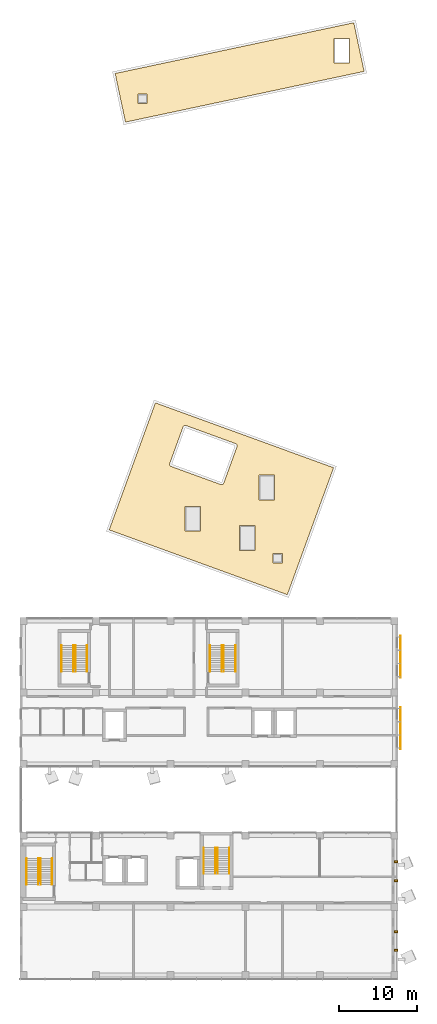
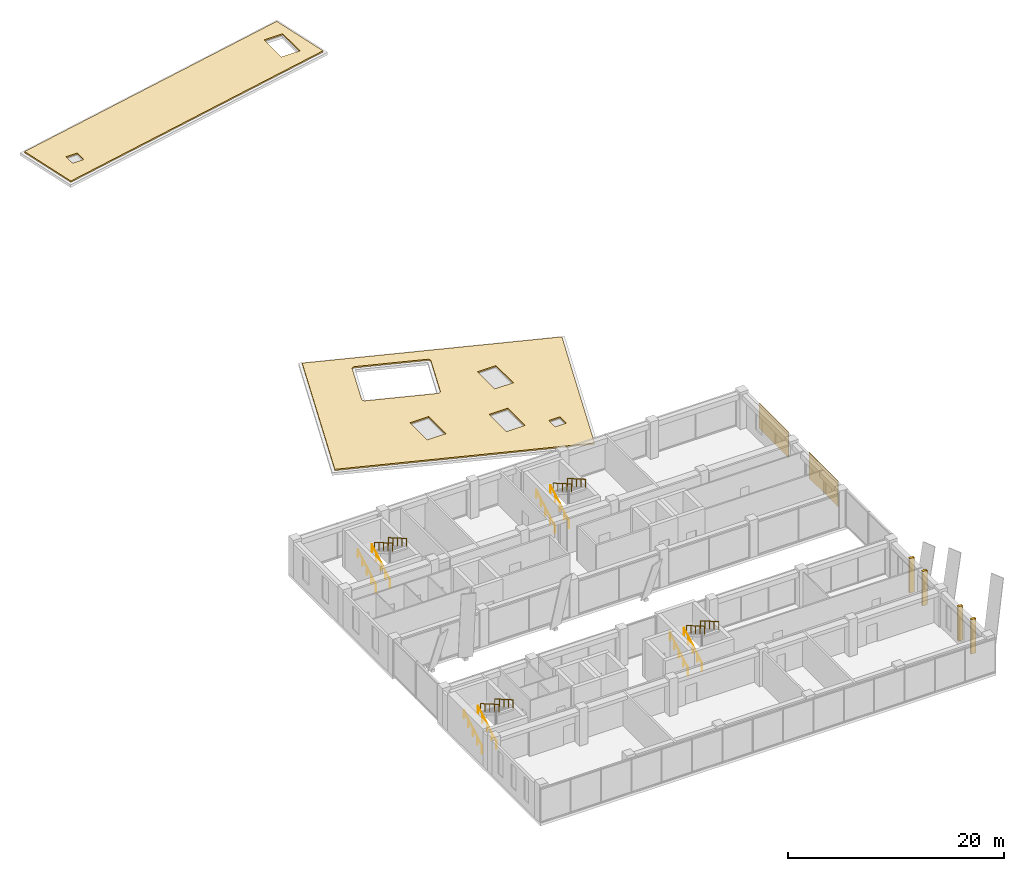
# One storey, part 31 of 36: 16 railings, 6 shading devices, 2 coverings.
"""IFC4 building model written with IfcOpenShell, lengths in metres."""

from ifc_helpers import new_model, si_unit, direction, frame, origin, origin_2d, place, context, subcontext, project, spatial, polyline, rectangle, circle, outline, extrude, material, layer, layer_set, type_object, element, save


model = new_model("IFC4")

# Units and contexts
model_context = context("Model", 3, precision=1e-05, world=origin(), true_north=direction((0.0, 1.0)))
body_context = subcontext(model_context, "Body", "Model", "MODEL_VIEW")
ifc_project = project(units=[si_unit("LENGTHUNIT", "METRE"), si_unit("AREAUNIT", "SQUARE_METRE"), si_unit("VOLUMEUNIT", "CUBIC_METRE"), si_unit("PLANEANGLEUNIT", "RADIAN"), si_unit("MASSUNIT", "GRAM", prefix="KILO")], contexts=[model_context])

# Site, building, storey
site_placement = place(None, origin())
site = spatial("IfcSite", under=ifc_project, at=site_placement, CompositionType="ELEMENT")
building_placement = place(site_placement, origin())
building = spatial("IfcBuilding", under=site, at=building_placement, Name="Nzadi Deep Aquarium and Research Tower", CompositionType="ELEMENT")
storey_placement = place(building_placement, frame((0.0, 0.0, 40.300048828125)))
storey = spatial("IfcBuildingStorey", under=building, at=storey_placement, Name="L07", CompositionType="ELEMENT", Elevation=40.300048828125)

# Shading devices
ifc_material_1 = material(Name="Concrete C35/45", Category="concrete")
shading_device_type_1 = type_object("IfcShadingDeviceType", Name="Fin board-formed concrete 250 deep", PredefinedType="USERDEFINED", material=ifc_material_1)
for number, where, z_axis, x_axis, name in (
    (1, (48.199951171875, 3.625, 0.0), (0.0, 0.0, 1.0), (1.0, 0.0, 0.0), "Fin blade A east L07"),
    (2, (48.199951171875, 6.02490234375, 0.0), (0.0, 0.0, 1.0), (1.0, 0.0, 0.0), "Fin blade A east L07"),
    (3, (48.199951171875, 12.60009765625, 0.0), (0.0, 0.0, 1.0), (1.0, 0.0, 0.0), "Fin blade A east L07"),
    (4, (48.199951171875, 15.0, 0.0), (0.0, 0.0, 1.0), (1.0, 0.0, 0.0), "Fin blade A east L07"),
):
    element("IfcShadingDevice", number, at=place(storey_placement, frame(where, z_axis=z_axis, x_axis=x_axis)), inside=storey, type_object=shading_device_type_1, Name=name, ObjectType="Fin", PredefinedType="USERDEFINED", context=body_context, shape_type="SweptSolid", body=[
        extrude(rectangle(XDim=0.5, YDim=0.25, at=origin_2d()), origin(), (0.0, 0.0, 1.0), 3.89990234375),
    ])

# Railings
ifc_material_2 = material(Name="Stainless steel 1.4301", Category="steel")
railing_type = type_object("IfcRailingType", Name="HANDRAIL 900", PredefinedType="HANDRAIL", material=ifc_material_2)
for number, where, name in (
    (5, (0.659912109375, 12.070068359375, 0.161376953125), "HR-ST-Z1-SW-L07-F1"),
    (6, (2.1650390625, 12.070068359375, 0.161376953125), "HR-ST-Z1-SW-L07-F1W"),
):
    element("IfcRailing", number, at=place(storey_placement, frame(where)), inside=storey, type_object=railing_type, Name=name, PredefinedType="HANDRAIL", context=body_context, shape_type="SweptSolid", body=[
        extrude(circle(Radius=0.02392578125, at=origin_2d()), frame((0.0, 0.0, 0.8759765625), z_axis=(0.0, 0.866175107563, 0.499740615757), x_axis=(-1.0, 0.0, 0.0)), (0.0, 0.0, 1.0), 3.87890625),
        extrude(circle(Radius=0.02099609375, at=origin_2d()), origin(), (0.0, 0.0, 1.0), 0.851806640625),
        extrude(circle(Radius=0.02099609375, at=origin_2d()), frame((0.0, 0.83984375, 0.484619140625)), (0.0, 0.0, 1.0), 0.851806640625),
        extrude(circle(Radius=0.02099609375, at=origin_2d()), frame((0.0, 1.679931640625, 0.96923828125)), (0.0, 0.0, 1.0), 0.851806640625),
        extrude(circle(Radius=0.02099609375, at=origin_2d()), frame((0.0, 2.52001953125, 1.453857421875)), (0.0, 0.0, 1.0), 0.851806640625),
        extrude(circle(Radius=0.02099609375, at=origin_2d()), frame((0.0, 3.35986328125, 1.9384765625)), (0.0, 0.0, 1.0), 0.851806640625),
    ])
for number, where, name in (
    (7, (3.93994140625, 15.429931640625, 2.261474609375), "HR-ST-Z1-SW-L07-F2"),
    (8, (2.43505859375, 15.429931640625, 2.261474609375), "HR-ST-Z1-SW-L07-F2W"),
):
    element("IfcRailing", number, at=place(storey_placement, frame(where)), inside=storey, type_object=railing_type, Name=name, PredefinedType="HANDRAIL", context=body_context, shape_type="SweptSolid", body=[
        extrude(circle(Radius=0.02392578125, at=origin_2d()), frame((0.0, 0.0, 0.8759765625), z_axis=(0.0, -0.866175107563, 0.499740615757), x_axis=(1.0, 0.0, 0.0)), (0.0, 0.0, 1.0), 3.87890625),
        extrude(circle(Radius=0.02099609375, at=origin_2d()), origin(), (0.0, 0.0, 1.0), 0.851806640625),
        extrude(circle(Radius=0.02099609375, at=origin_2d()), frame((0.0, -0.83984375, 0.484619140625)), (0.0, 0.0, 1.0), 0.851806640625),
        extrude(circle(Radius=0.02099609375, at=origin_2d()), frame((0.0, -1.679931640625, 0.96923828125)), (0.0, 0.0, 1.0), 0.851806640625),
        extrude(circle(Radius=0.02099609375, at=origin_2d()), frame((0.0, -2.52001953125, 1.453857421875)), (0.0, 0.0, 1.0), 0.851806640625),
        extrude(circle(Radius=0.02099609375, at=origin_2d()), frame((0.0, -3.35986328125, 1.9384765625)), (0.0, 0.0, 1.0), 0.851806640625),
    ])
for number, where, name in (
    (9, (23.4599609375, 13.469970703125, 0.161376953125), "HR-ST-Z1-SE-L07-F1"),
    (10, (24.965087890625, 13.469970703125, 0.161376953125), "HR-ST-Z1-SE-L07-F1W"),
):
    element("IfcRailing", number, at=place(storey_placement, frame(where)), inside=storey, type_object=railing_type, Name=name, PredefinedType="HANDRAIL", context=body_context, shape_type="SweptSolid", body=[
        extrude(circle(Radius=0.02392578125, at=origin_2d()), frame((0.0, 0.0, 0.8759765625), z_axis=(0.0, 0.866190824863, 0.499713372768), x_axis=(-1.0, 0.0, 0.0)), (0.0, 0.0, 1.0), 3.879150390625),
        extrude(circle(Radius=0.02099609375, at=origin_2d()), origin(), (0.0, 0.0, 1.0), 0.851806640625),
        extrude(circle(Radius=0.02099609375, at=origin_2d()), frame((0.0, 0.840087890625, 0.484619140625)), (0.0, 0.0, 1.0), 0.851806640625),
        extrude(circle(Radius=0.02099609375, at=origin_2d()), frame((0.0, 1.68017578125, 0.96923828125)), (0.0, 0.0, 1.0), 0.851806640625),
        extrude(circle(Radius=0.02099609375, at=origin_2d()), frame((0.0, 2.52001953125, 1.453857421875)), (0.0, 0.0, 1.0), 0.851806640625),
        extrude(circle(Radius=0.02099609375, at=origin_2d()), frame((0.0, 3.360107421875, 1.9384765625)), (0.0, 0.0, 1.0), 0.851806640625),
    ])
for number, where, name in (
    (11, (26.739990234375, 16.830078125, 2.261474609375), "HR-ST-Z1-SE-L07-F2"),
    (12, (25.235107421875, 16.830078125, 2.261474609375), "HR-ST-Z1-SE-L07-F2W"),
):
    element("IfcRailing", number, at=place(storey_placement, frame(where)), inside=storey, type_object=railing_type, Name=name, PredefinedType="HANDRAIL", context=body_context, shape_type="SweptSolid", body=[
        extrude(circle(Radius=0.02392578125, at=origin_2d()), frame((0.0, 0.0, 0.8759765625), z_axis=(0.0, -0.866190824863, 0.499713372768), x_axis=(1.0, 0.0, 0.0)), (0.0, 0.0, 1.0), 3.879150390625),
        extrude(circle(Radius=0.02099609375, at=origin_2d()), origin(), (0.0, 0.0, 1.0), 0.851806640625),
        extrude(circle(Radius=0.02099609375, at=origin_2d()), frame((0.0, -0.840087890625, 0.484619140625)), (0.0, 0.0, 1.0), 0.851806640625),
        extrude(circle(Radius=0.02099609375, at=origin_2d()), frame((0.0, -1.68017578125, 0.96923828125)), (0.0, 0.0, 1.0), 0.851806640625),
        extrude(circle(Radius=0.02099609375, at=origin_2d()), frame((0.0, -2.52001953125, 1.453857421875)), (0.0, 0.0, 1.0), 0.851806640625),
        extrude(circle(Radius=0.02099609375, at=origin_2d()), frame((0.0, -3.360107421875, 1.9384765625)), (0.0, 0.0, 1.0), 0.851806640625),
    ])
for number, where, name in (
    (13, (5.159912109375, 39.52001953125, 0.161376953125), "HR-ST-Z1-NW-L07-F1"),
    (14, (6.6650390625, 39.52001953125, 0.161376953125), "HR-ST-Z1-NW-L07-F1W"),
):
    element("IfcRailing", number, at=place(storey_placement, frame(where)), inside=storey, type_object=railing_type, Name=name, PredefinedType="HANDRAIL", context=body_context, shape_type="SweptSolid", body=[
        extrude(circle(Radius=0.02392578125, at=origin_2d()), frame((0.0, 0.0, 0.8759765625), z_axis=(0.0, 0.866175107563, 0.499740615757), x_axis=(-1.0, 0.0, 0.0)), (0.0, 0.0, 1.0), 3.87890625),
        extrude(circle(Radius=0.02099609375, at=origin_2d()), origin(), (0.0, 0.0, 1.0), 0.851806640625),
        extrude(circle(Radius=0.02099609375, at=origin_2d()), frame((0.0, 0.83984375, 0.484619140625)), (0.0, 0.0, 1.0), 0.851806640625),
        extrude(circle(Radius=0.02099609375, at=origin_2d()), frame((0.0, 1.679931640625, 0.96923828125)), (0.0, 0.0, 1.0), 0.851806640625),
        extrude(circle(Radius=0.02099609375, at=origin_2d()), frame((0.0, 2.52001953125, 1.453857421875)), (0.0, 0.0, 1.0), 0.851806640625),
        extrude(circle(Radius=0.02099609375, at=origin_2d()), frame((0.0, 3.35986328125, 1.9384765625)), (0.0, 0.0, 1.0), 0.851806640625),
    ])
for number, where, name in (
    (15, (8.43994140625, 42.8798828125, 2.261474609375), "HR-ST-Z1-NW-L07-F2"),
    (16, (6.93505859375, 42.8798828125, 2.261474609375), "HR-ST-Z1-NW-L07-F2W"),
):
    element("IfcRailing", number, at=place(storey_placement, frame(where)), inside=storey, type_object=railing_type, Name=name, PredefinedType="HANDRAIL", context=body_context, shape_type="SweptSolid", body=[
        extrude(circle(Radius=0.02392578125, at=origin_2d()), frame((0.0, 0.0, 0.8759765625), z_axis=(0.0, -0.866175107563, 0.499740615757), x_axis=(1.0, 0.0, 0.0)), (0.0, 0.0, 1.0), 3.87890625),
        extrude(circle(Radius=0.02099609375, at=origin_2d()), origin(), (0.0, 0.0, 1.0), 0.851806640625),
        extrude(circle(Radius=0.02099609375, at=origin_2d()), frame((0.0, -0.83984375, 0.484619140625)), (0.0, 0.0, 1.0), 0.851806640625),
        extrude(circle(Radius=0.02099609375, at=origin_2d()), frame((0.0, -1.679931640625, 0.96923828125)), (0.0, 0.0, 1.0), 0.851806640625),
        extrude(circle(Radius=0.02099609375, at=origin_2d()), frame((0.0, -2.52001953125, 1.453857421875)), (0.0, 0.0, 1.0), 0.851806640625),
        extrude(circle(Radius=0.02099609375, at=origin_2d()), frame((0.0, -3.35986328125, 1.9384765625)), (0.0, 0.0, 1.0), 0.851806640625),
    ])
for number, where, name in (
    (17, (24.260009765625, 39.52001953125, 0.161376953125), "HR-ST-Z1-NE-L07-F1"),
    (18, (25.764892578125, 39.52001953125, 0.161376953125), "HR-ST-Z1-NE-L07-F1W"),
):
    element("IfcRailing", number, at=place(storey_placement, frame(where)), inside=storey, type_object=railing_type, Name=name, PredefinedType="HANDRAIL", context=body_context, shape_type="SweptSolid", body=[
        extrude(circle(Radius=0.02392578125, at=origin_2d()), frame((0.0, 0.0, 0.8759765625), z_axis=(0.0, 0.866175107563, 0.499740615757), x_axis=(-1.0, 0.0, 0.0)), (0.0, 0.0, 1.0), 3.87890625),
        extrude(circle(Radius=0.02099609375, at=origin_2d()), origin(), (0.0, 0.0, 1.0), 0.851806640625),
        extrude(circle(Radius=0.02099609375, at=origin_2d()), frame((0.0, 0.83984375, 0.484619140625)), (0.0, 0.0, 1.0), 0.851806640625),
        extrude(circle(Radius=0.02099609375, at=origin_2d()), frame((0.0, 1.679931640625, 0.96923828125)), (0.0, 0.0, 1.0), 0.851806640625),
        extrude(circle(Radius=0.02099609375, at=origin_2d()), frame((0.0, 2.52001953125, 1.453857421875)), (0.0, 0.0, 1.0), 0.851806640625),
        extrude(circle(Radius=0.02099609375, at=origin_2d()), frame((0.0, 3.35986328125, 1.9384765625)), (0.0, 0.0, 1.0), 0.851806640625),
    ])
for number, where, name in (
    (19, (27.5400390625, 42.8798828125, 2.261474609375), "HR-ST-Z1-NE-L07-F2"),
    (20, (26.034912109375, 42.8798828125, 2.261474609375), "HR-ST-Z1-NE-L07-F2W"),
):
    element("IfcRailing", number, at=place(storey_placement, frame(where)), inside=storey, type_object=railing_type, Name=name, PredefinedType="HANDRAIL", context=body_context, shape_type="SweptSolid", body=[
        extrude(circle(Radius=0.02392578125, at=origin_2d()), frame((0.0, 0.0, 0.8759765625), z_axis=(0.0, -0.866175107563, 0.499740615757), x_axis=(1.0, 0.0, 0.0)), (0.0, 0.0, 1.0), 3.87890625),
        extrude(circle(Radius=0.02099609375, at=origin_2d()), origin(), (0.0, 0.0, 1.0), 0.851806640625),
        extrude(circle(Radius=0.02099609375, at=origin_2d()), frame((0.0, -0.83984375, 0.484619140625)), (0.0, 0.0, 1.0), 0.851806640625),
        extrude(circle(Radius=0.02099609375, at=origin_2d()), frame((0.0, -1.679931640625, 0.96923828125)), (0.0, 0.0, 1.0), 0.851806640625),
        extrude(circle(Radius=0.02099609375, at=origin_2d()), frame((0.0, -2.52001953125, 1.453857421875)), (0.0, 0.0, 1.0), 0.851806640625),
        extrude(circle(Radius=0.02099609375, at=origin_2d()), frame((0.0, -3.35986328125, 1.9384765625)), (0.0, 0.0, 1.0), 0.851806640625),
    ])

# Shading devices
ifc_material_3 = material(Name="Aluminium perforated sheet", Category="aluminium")
shading_device_type_2 = type_object("IfcShadingDeviceType", Name="Perforated screen 40 mm", PredefinedType="USERDEFINED", material=ifc_material_3)
for number, where, z_axis, x_axis, name in (
    (21, (48.77001953125, 32.199951171875, 0.60009765625), (0.0, 0.0, 1.0), (1.0, 0.0, 0.0), "Perforated screen L07 BE"),
    (22, (48.77001953125, 41.39990234375, 0.60009765625), (0.0, 0.0, 1.0), (1.0, 0.0, 0.0), "Perforated screen L07 BE"),
):
    element("IfcShadingDevice", number, at=place(storey_placement, frame(where, z_axis=z_axis, x_axis=x_axis)), inside=storey, type_object=shading_device_type_2, Name=name, ObjectType="Screen", PredefinedType="USERDEFINED", context=body_context, shape_type="SweptSolid", body=[
        extrude(rectangle(XDim=0.0400390625, YDim=5.39990234375, at=origin_2d()), origin(), (0.0, 0.0, 1.0), 2.89990234375),
    ])

# Coverings
ifc_material_4 = material(Name="Bituminous membrane and mineral wool insulation")
ifc_layer = layer(ifc_material_4, 0.14990234375)
ifc_layer_set = layer_set([ifc_layer], Name="Bituminous membrane and mineral wool insulation")
covering_type = type_object("IfcCoveringType", Name="Roofing membrane and insulation 150", PredefinedType="ROOFING", material=ifc_layer_set)
covering_1_placement = place(storey_placement, frame((0.0, 0.0, 0.699951171875)))
element("IfcCovering", 23, at=covering_1_placement, inside=storey, type_object=covering_type, Name="Roofing", PredefinedType="ROOFING", context=body_context, shape_type="SweptSolid", body=[
    extrude(outline(polyline([(40.16162109375, 65.745361328125), (34.21044921875, 49.394775390625), (11.281982421875, 57.739990234375), (17.233154296875, 74.0908203125), (40.16162109375, 65.745361328125)]), holes=[polyline([(27.739990234375, 68.45751953125), (27.748779296875, 68.485595703125), (27.754638671875, 68.514404296875), (27.7578125, 68.543701171875), (27.7578125, 68.572998046875), (27.755126953125, 68.602294921875), (27.74951171875, 68.63134765625), (27.7412109375, 68.65966796875), (27.72998046875, 68.686767578125), (27.71630859375, 68.712890625), (27.7001953125, 68.7373046875), (27.681640625, 68.76025390625), (27.660888671875, 68.78125), (27.63818359375, 68.800048828125), (27.61376953125, 68.81640625), (27.587890625, 68.83056640625), (27.560791015625, 68.841796875), (21.1708984375, 71.167724609375), (21.142578125, 71.176513671875), (21.114013671875, 71.182373046875), (21.084716796875, 71.185302734375), (21.05517578125, 71.185546875), (21.02587890625, 71.182861328125), (20.9970703125, 71.17724609375), (20.96875, 71.168701171875), (20.94140625, 71.15771484375), (20.915283203125, 71.143798828125), (20.890869140625, 71.127685546875), (20.867919921875, 71.109130859375), (20.84716796875, 71.08837890625), (20.828369140625, 71.06591796875), (20.811767578125, 71.04150390625), (20.7978515625, 71.015380859375), (20.786376953125, 70.98828125), (19.076416015625, 66.289794921875), (19.067626953125, 66.26171875), (19.061767578125, 66.23291015625), (19.05859375, 66.20361328125), (19.058349609375, 66.17431640625), (19.061279296875, 66.14501953125), (19.06689453125, 66.115966796875), (19.0751953125, 66.087890625), (19.086181640625, 66.060546875), (19.10009765625, 66.034423828125), (19.1162109375, 66.010009765625), (19.134765625, 65.987060546875), (19.155517578125, 65.966064453125), (19.177978515625, 65.947265625), (19.202392578125, 65.930908203125), (19.228515625, 65.916748046875), (19.255615234375, 65.905517578125), (25.6455078125, 63.57958984375), (25.673583984375, 63.571044921875), (25.702392578125, 63.565185546875), (25.731689453125, 63.56201171875), (25.76123046875, 63.56201171875), (25.79052734375, 63.564697265625), (25.8193359375, 63.5703125), (25.84765625, 63.57861328125), (25.875, 63.589599609375), (25.90087890625, 63.603515625), (25.925537109375, 63.61962890625), (25.9482421875, 63.63818359375), (25.96923828125, 63.658935546875), (25.988037109375, 63.681396484375), (26.00439453125, 63.705810546875), (26.0185546875, 63.731689453125), (26.030029296875, 63.759033203125), (27.739990234375, 68.45751953125)]), polyline([(23.06396484375, 60.777099609375), (21.06396484375, 60.777099609375), (21.06396484375, 57.576904296875), (23.06396484375, 57.576904296875), (23.06396484375, 60.777099609375)]), polyline([(33.56103515625, 54.674072265625), (32.361083984375, 54.674072265625), (32.361083984375, 53.47412109375), (33.56103515625, 53.47412109375), (33.56103515625, 54.674072265625)]), polyline([(30.06396484375, 58.277099609375), (28.06396484375, 58.277099609375), (28.06396484375, 55.076904296875), (30.06396484375, 55.076904296875), (30.06396484375, 58.277099609375)]), polyline([(32.56396484375, 64.777099609375), (30.56396484375, 64.777099609375), (30.56396484375, 61.576904296875), (32.56396484375, 61.576904296875), (32.56396484375, 64.777099609375)])]), origin(), (0.0, 0.0, 1.0), 0.14990234375),
])
covering_2_placement = place(storey_placement, frame((0.0, 0.0, 0.699951171875)))
element("IfcCovering", 24, at=covering_2_placement, inside=storey, type_object=covering_type, Name="Roofing", PredefinedType="ROOFING", context=body_context, shape_type="SweptSolid", body=[
    extrude(outline(polyline([(12.050048828125, 116.489501953125), (42.763916015625, 123.017822265625), (44.094482421875, 116.7578125), (13.380615234375, 110.229248046875), (12.050048828125, 116.489501953125)]), holes=[polyline([(16.166015625, 113.845947265625), (14.966064453125, 113.845947265625), (14.966064453125, 112.64599609375), (16.166015625, 112.64599609375), (16.166015625, 113.845947265625)]), polyline([(42.236083984375, 121.014892578125), (40.236083984375, 121.014892578125), (40.236083984375, 117.81494140625), (42.236083984375, 117.81494140625), (42.236083984375, 121.014892578125)])]), origin(), (0.0, 0.0, 1.0), 0.14990234375),
])

save(model, "model.ifc")
